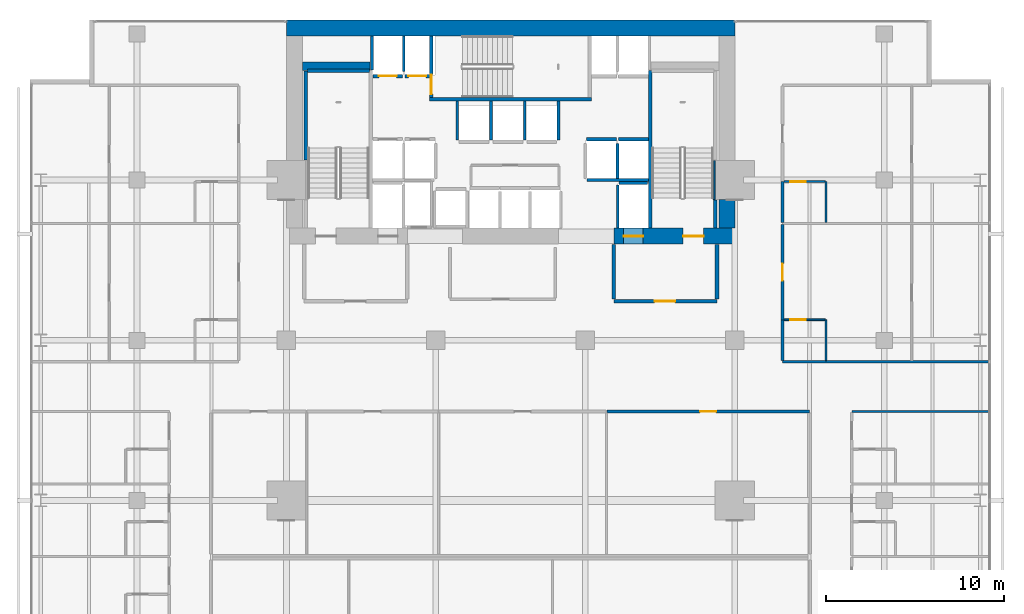
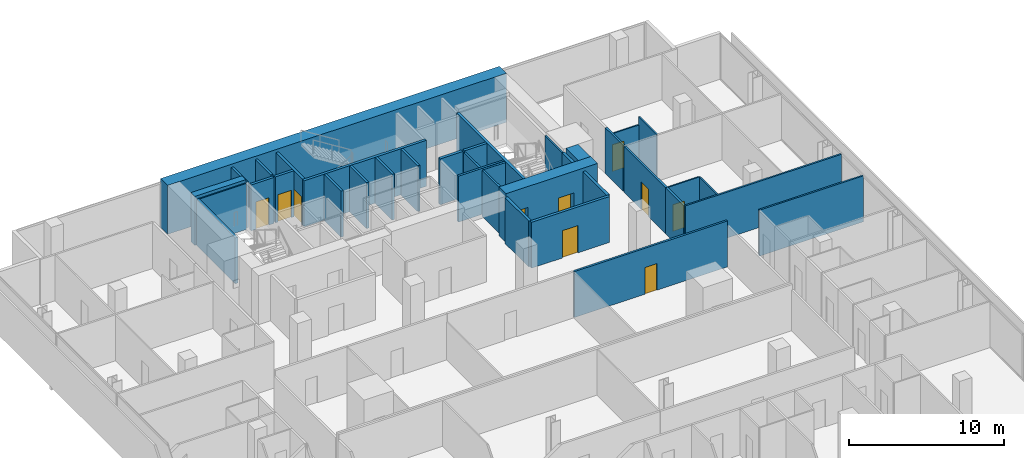
# One storey, part 37 of 40: 38 walls, 10 doors, 10 openings.
"""IFC4 building model written with IfcOpenShell, lengths in metres."""

from ifc_helpers import new_model, si_unit, direction, frame, frame_2d, origin, place, context, subcontext, project, spatial, rectangle, extrude, material, layer, layer_set, type_object, element, fill, save


model = new_model("IFC4")

# Units and contexts
model_context = context("Model", 3, precision=1e-05, world=origin(), true_north=direction((0.0, 1.0)))
body_context = subcontext(model_context, "Body", "Model", "MODEL_VIEW")
ifc_project = project(units=[si_unit("LENGTHUNIT", "METRE"), si_unit("AREAUNIT", "SQUARE_METRE"), si_unit("VOLUMEUNIT", "CUBIC_METRE"), si_unit("PLANEANGLEUNIT", "RADIAN"), si_unit("MASSUNIT", "GRAM", prefix="KILO")], contexts=[model_context])

# Site, building, storey
site_placement = place(None, origin())
site = spatial("IfcSite", under=ifc_project, at=site_placement, CompositionType="ELEMENT")
building_placement = place(site_placement, origin())
building = spatial("IfcBuilding", under=site, at=building_placement, Name="Maruvema Waterfront Hotel and Observation Tower", CompositionType="ELEMENT")
storey_placement = place(building_placement, frame((0.0, 0.0, 53.89990234375)))
storey = spatial("IfcBuildingStorey", under=building, at=storey_placement, Name="L12", CompositionType="ELEMENT", Elevation=53.89990234375)

# Wall, opening, door
ifc_material_1 = material(Name="Twin-stud acoustic gypsum drywall", Category="gypsum")
ifc_layer_1 = layer(ifc_material_1, 0.14990234375, Name="Acoustic Corridor and Suite Demising Wall 150 mm")
ifc_layer_set_1 = layer_set([ifc_layer_1], Name="Twin-stud acoustic gypsum drywall")
wall_type_1 = type_object("IfcWallType", Name="Acoustic Corridor and Suite Demising Wall 150 mm", PredefinedType="PARTITIONING", material=ifc_layer_set_1)
wall_1_placement = place(storey_placement, frame((43.221923828125, 32.0, 0.0), z_axis=(0.0, 0.0, 1.0), x_axis=(1.0, 0.0, 0.0)))
wall_1 = element("IfcWall", 1, at=wall_1_placement, inside=storey, type_object=wall_type_1, Name="L12 L12-INTN Front 4 025", PredefinedType="PARTITIONING", context=body_context, shape_type="SweptSolid", body=[
    extrude(rectangle(XDim=11.3681640625, YDim=0.14990234375, at=frame_2d((5.68408203125, 0.0))), origin(), (0.0, 0.0, 1.0), 3.610107421875),
])
opening_1_placement = place(wall_1_placement, frame((5.23388671875, 0.0, 0.0)))
opening_1 = element("IfcOpeningElement", 2, at=opening_1_placement, cuts=wall_1, Name="Opening DR-090", PredefinedType="OPENING", context=body_context, shape_type="SweptSolid", body=[
    extrude(rectangle(XDim=0.89990234375, YDim=2.10009765625, at=frame_2d((0.449951171875, 1.050048828125))), frame((0.0, 0.0849609375, 0.0), z_axis=(0.0, -1.0, 0.0), x_axis=(1.0, 0.0, 0.0)), (0.0, 0.0, 1.0), 0.169921875),
])
ifc_material_2 = material(Name="Solid-core lacquered timber leaf", Category="wood")
door_type_1 = type_object("IfcDoorType", Name="Accessible Toilet and Room Door 900x2100 mm", OperationType="NOTDEFINED", PredefinedType="DOOR", material=ifc_material_2)
door_1_placement = place(opening_1_placement, origin())
door_1 = element("IfcDoor", 3, at=door_1_placement, inside=storey, type_object=door_type_1, Name="L12 Tea Kitchenette Door", OperationType="SINGLE_SWING_LEFT", OverallHeight=2.10009765625, OverallWidth=0.89990234375, PredefinedType="DOOR", context=body_context, shape_type="SweptSolid", body=[
    extrude(rectangle(XDim=0.89990234375, YDim=2.10009765625, at=frame_2d((0.449951171875, 1.050048828125))), frame((0.0, 0.02490234375, 0.0), z_axis=(0.0, -1.0, 0.0), x_axis=(1.0, 0.0, 0.0)), (0.0, 0.0, 1.0), 0.050048828125),
])
fill(opening_1, door_1)

# Wall
wall_2_placement = place(storey_placement, frame((53.080078125, 34.860107421875, 0.0), z_axis=(0.0, 0.0, 1.0), x_axis=(0.0, 1.0, 0.0)))
element("IfcWall", 4, at=wall_2_placement, inside=storey, type_object=wall_type_1, Name="L12 Bath L12-NE1 Wall 127", PredefinedType="PARTITIONING", context=body_context, shape_type="SweptSolid", body=[
    extrude(rectangle(XDim=2.289794921875, YDim=0.14990234375, at=frame_2d((1.14501953125, 0.0))), origin(), (0.0, 0.0, 1.0), 3.610107421875),
])

# Wall, opening, door
wall_3_placement = place(storey_placement, frame((53.080078125, 37.14990234375, 0.0), z_axis=(0.0, 0.0, 1.0), x_axis=(0.0, 1.0, 0.0)))
wall_3 = element("IfcWall", 5, at=wall_3_placement, inside=storey, type_object=wall_type_1, Name="L12 Room L12-NE1 Corridor Wall 128", PredefinedType="PARTITIONING", context=body_context, shape_type="SweptSolid", body=[
    extrude(rectangle(XDim=5.35888671875, YDim=0.14990234375, at=frame_2d((2.679443359375, 0.0))), origin(), (0.0, 0.0, 1.0), 3.610107421875),
])
opening_2_placement = place(wall_3_placement, frame((2.204345703125, 0.0, 0.0)))
opening_2 = element("IfcOpeningElement", 6, at=opening_2_placement, cuts=wall_3, Name="Opening DR-095", PredefinedType="OPENING", context=body_context, shape_type="SweptSolid", body=[
    extrude(rectangle(XDim=0.949951171875, YDim=2.14990234375, at=frame_2d((0.47509765625, 1.074951171875))), frame((0.0, 0.0849609375, 0.0), z_axis=(0.0, -1.0, 0.0), x_axis=(1.0, 0.0, 0.0)), (0.0, 0.0, 1.0), 0.169921875),
])
ifc_material_3 = material(Name="Acoustic solid-core hardwood timber leaf", Category="wood")
door_type_2 = type_object("IfcDoorType", Name="Guestroom Entrance Fire Door 950x2150 mm", OperationType="NOTDEFINED", PredefinedType="DOOR", material=ifc_material_3)
door_2_placement = place(opening_2_placement, frame((0.949951171875, 0.0, 0.0), z_axis=(0.0, 0.0, 1.0), x_axis=(-1.0, 0.0, 0.0)))
door_2 = element("IfcDoor", 7, at=door_2_placement, inside=storey, type_object=door_type_2, Name="L12 Room L12-NE1 Entrance Door", OperationType="SINGLE_SWING_LEFT", OverallHeight=2.14990234375, OverallWidth=0.949951171875, PredefinedType="DOOR", context=body_context, shape_type="SweptSolid", body=[
    extrude(rectangle(XDim=0.949951171875, YDim=2.14990234375, at=frame_2d((0.47509765625, 1.074951171875))), frame((0.0, 0.02490234375, 0.0), z_axis=(0.0, -1.0, 0.0), x_axis=(1.0, 0.0, 0.0)), (0.0, 0.0, 1.0), 0.050048828125),
])
fill(opening_2, door_2)

# Walls
wall_4_placement = place(storey_placement, frame((53.080078125, 42.628662109375, 0.0), z_axis=(0.0, 0.0, 1.0), x_axis=(0.0, 1.0, 0.0)))
element("IfcWall", 8, at=wall_4_placement, inside=storey, type_object=wall_type_1, Name="L12 Bath L12-NE2 Wall 139", PredefinedType="PARTITIONING", context=body_context, shape_type="SweptSolid", body=[
    extrude(rectangle(XDim=2.2900390625, YDim=0.14990234375, at=frame_2d((1.14501953125, 0.0))), origin(), (0.0, 0.0, 1.0), 3.610107421875),
])
ifc_material_4 = material(Name="Precast concrete C45/55", Category="concrete")
ifc_layer_2 = layer(ifc_material_4, 0.199951171875, Name="Core Shaft and Stairwell Enclosure Wall 200 mm")
ifc_layer_set_2 = layer_set([ifc_layer_2], Name="Precast concrete C45/55")
wall_type_2 = type_object("IfcWallType", Name="Core Shaft and Stairwell Enclosure Wall 200 mm", PredefinedType="SOLIDWALL", material=ifc_layer_set_2)
wall_5_placement = place(storey_placement, frame((26.300048828125, 46.1201171875, 0.0), z_axis=(0.0, 0.0, 1.0), x_axis=(0.0, 1.0, 0.0)))
element("IfcWall", 9, at=wall_5_placement, inside=storey, type_object=wall_type_2, Name="L12 Stairwell ST-01 Shaft Lining Wall", PredefinedType="SOLIDWALL", context=body_context, shape_type="SweptSolid", body=[
    extrude(rectangle(XDim=5.0, YDim=0.199951171875, at=frame_2d((2.5, 0.0))), origin(), (0.0, 0.0, 1.0), 3.610107421875),
])
wall_6_placement = place(storey_placement, frame((26.3798828125, 51.14990234375, 0.0), z_axis=(0.0, 0.0, 1.0), x_axis=(1.0, 0.0, 0.0)))
element("IfcWall", 10, at=wall_6_placement, inside=storey, type_object=wall_type_2, Name="L12 Stairwell ST-01 Shaft Lining Wall", PredefinedType="SOLIDWALL", context=body_context, shape_type="SweptSolid", body=[
    extrude(rectangle(XDim=3.5, YDim=0.199951171875, at=frame_2d((1.75, 0.0))), origin(), (0.0, 0.0, 1.0), 3.610107421875),
])
wall_7_placement = place(storey_placement, frame((33.25, 49.550048828125, 0.0), z_axis=(0.0, 0.0, 1.0), x_axis=(1.0, 0.0, 0.0)))
element("IfcWall", 11, at=wall_7_placement, inside=storey, type_object=wall_type_2, Name="L12 Stairwell ST-02 Shaft Wall", PredefinedType="SOLIDWALL", context=body_context, shape_type="SweptSolid", body=[
    extrude(rectangle(XDim=9.10009765625, YDim=0.199951171875, at=frame_2d((4.550048828125, 0.0))), origin(), (0.0, 0.0, 1.0), 3.610107421875),
])

# Wall, opening, door
wall_8_placement = place(storey_placement, frame((33.35009765625, 49.64990234375, 0.0), z_axis=(0.0, 0.0, 1.0), x_axis=(0.0, 1.0, 0.0)))
wall_8 = element("IfcWall", 12, at=wall_8_placement, inside=storey, type_object=wall_type_2, Name="L12 Stairwell ST-02 Shaft Wall", PredefinedType="SOLIDWALL", context=body_context, shape_type="SweptSolid", body=[
    extrude(rectangle(XDim=3.4501953125, YDim=0.199951171875, at=frame_2d((1.72509765625, 0.0))), origin(), (0.0, 0.0, 1.0), 3.610107421875),
])
opening_3_placement = place(wall_8_placement, frame((0.179931640625, 0.0, 0.0)))
opening_3 = element("IfcOpeningElement", 13, at=opening_3_placement, cuts=wall_8, Name="Opening SD-02", PredefinedType="OPENING", context=body_context, shape_type="SweptSolid", body=[
    extrude(rectangle(XDim=1.10009765625, YDim=2.14990234375, at=frame_2d((0.550048828125, 1.074951171875))), frame((0.0, 0.10986328125, 0.0), z_axis=(0.0, -1.0, 0.0), x_axis=(1.0, 0.0, 0.0)), (0.0, 0.0, 1.0), 0.219970703125),
])
ifc_material_5 = material(Name="Fire-rated galvanised steel leaf", Category="steel")
door_type_3 = type_object("IfcDoorType", Name="Central Exit Stair Fire Door 1100x2150 mm", OperationType="NOTDEFINED", PredefinedType="DOOR", material=ifc_material_5)
door_3_placement = place(opening_3_placement, frame((1.10009765625, 0.0, 0.0), z_axis=(0.0, 0.0, 1.0), x_axis=(-1.0, 0.0, 0.0)))
door_3 = element("IfcDoor", 14, at=door_3_placement, inside=storey, type_object=door_type_3, Name="L12 Exit Stair ST-02 Fire Door", OperationType="SINGLE_SWING_LEFT", OverallHeight=2.14990234375, OverallWidth=1.10009765625, PredefinedType="DOOR", context=body_context, shape_type="SweptSolid", body=[
    extrude(rectangle(XDim=1.10009765625, YDim=2.14990234375, at=frame_2d((0.550048828125, 1.074951171875))), frame((0.0, 0.02490234375, 0.0), z_axis=(0.0, -1.0, 0.0), x_axis=(1.0, 0.0, 0.0)), (0.0, 0.0, 1.0), 0.050048828125),
])
fill(opening_3, door_3)

# Walls
wall_9_placement = place(storey_placement, frame((45.64990234375, 42.300048828125, 0.0), z_axis=(0.0, 0.0, 1.0), x_axis=(0.0, 1.0, 0.0)))
element("IfcWall", 15, at=wall_9_placement, inside=storey, type_object=wall_type_2, Name="L12 Stairwell ST-03 West Shaft Wall", PredefinedType="SOLIDWALL", context=body_context, shape_type="SweptSolid", body=[
    extrude(rectangle(XDim=8.849853515625, YDim=0.199951171875, at=frame_2d((4.4248046875, 0.0))), origin(), (0.0, 0.0, 1.0), 3.610107421875),
])
wall_10_placement = place(storey_placement, frame((49.300048828125, 42.300048828125, 0.0), z_axis=(0.0, 0.0, 1.0), x_axis=(0.0, 1.0, 0.0)))
element("IfcWall", 16, at=wall_10_placement, inside=storey, type_object=wall_type_2, Name="L12 Stairwell ST-03 Shaft Lining Wall", PredefinedType="SOLIDWALL", context=body_context, shape_type="SweptSolid", body=[
    extrude(rectangle(XDim=1.579833984375, YDim=0.199951171875, at=frame_2d((0.7900390625, 0.0))), origin(), (0.0, 0.0, 1.0), 3.610107421875),
])

# Wall, opening, door
wall_11_placement = place(storey_placement, frame((30.06005859375, 50.85009765625, 0.0), z_axis=(0.0, 0.0, 1.0), x_axis=(1.0, 0.0, 0.0)))
wall_11 = element("IfcWall", 17, at=wall_11_placement, inside=storey, type_object=wall_type_2, Name="L12 Lift LF-03 Hoistway Front Wall", PredefinedType="SOLIDWALL", context=body_context, shape_type="SweptSolid", body=[
    extrude(rectangle(XDim=1.679931640625, YDim=0.199951171875, at=frame_2d((0.83984375, 0.0))), origin(), (0.0, 0.0, 1.0), 3.610107421875),
])
opening_4_placement = place(wall_11_placement, frame((0.340087890625, 0.0, 0.0)))
opening_4 = element("IfcOpeningElement", 18, at=opening_4_placement, cuts=wall_11, Name="Opening LD-01", PredefinedType="OPENING", context=body_context, shape_type="SweptSolid", body=[
    extrude(rectangle(XDim=1.0, YDim=2.14990234375, at=frame_2d((0.5, 1.074951171875))), frame((0.0, 0.10986328125, 0.0), z_axis=(0.0, -1.0, 0.0), x_axis=(1.0, 0.0, 0.0)), (0.0, 0.0, 1.0), 0.219970703125),
])
ifc_material_6 = material(Name="Brushed stainless steel Grade 316", Category="steel")
door_type_4 = type_object("IfcDoorType", Name="Passenger Lift Sliding Landing Door 1000x2150 mm", OperationType="SLIDING_TO_LEFT", PredefinedType="DOOR", material=ifc_material_6)
door_4_placement = place(opening_4_placement, frame((1.0, 0.0, 0.0), z_axis=(0.0, 0.0, 1.0), x_axis=(-1.0, 0.0, 0.0)))
door_4 = element("IfcDoor", 19, at=door_4_placement, inside=storey, type_object=door_type_4, Name="L12 Lift LF-03 Sliding Landing Door", OperationType="SLIDING_TO_LEFT", OverallHeight=2.14990234375, OverallWidth=1.0, PredefinedType="DOOR", context=body_context, shape_type="SweptSolid", body=[
    extrude(rectangle(XDim=1.0, YDim=2.14990234375, at=frame_2d((0.5, 1.074951171875))), frame((0.0, 0.02490234375, 0.0), z_axis=(0.0, -1.0, 0.0), x_axis=(1.0, 0.0, 0.0)), (0.0, 0.0, 1.0), 0.050048828125),
])
fill(opening_4, door_4)

wall_12_placement = place(storey_placement, frame((31.860107421875, 50.85009765625, 0.0), z_axis=(0.0, 0.0, 1.0), x_axis=(1.0, 0.0, 0.0)))
wall_12 = element("IfcWall", 20, at=wall_12_placement, inside=storey, type_object=wall_type_2, Name="L12 Lift LF-04 Hoistway Front Wall", PredefinedType="SOLIDWALL", context=body_context, shape_type="SweptSolid", body=[
    extrude(rectangle(XDim=1.3798828125, YDim=0.199951171875, at=frame_2d((0.68994140625, 0.0))), origin(), (0.0, 0.0, 1.0), 3.610107421875),
])
opening_5_placement = place(wall_12_placement, frame((0.18994140625, 0.0, 0.0)))
opening_5 = element("IfcOpeningElement", 21, at=opening_5_placement, cuts=wall_12, Name="Opening LD-01", PredefinedType="OPENING", context=body_context, shape_type="SweptSolid", body=[
    extrude(rectangle(XDim=1.0, YDim=2.14990234375, at=frame_2d((0.5, 1.074951171875))), frame((0.0, 0.10986328125, 0.0), z_axis=(0.0, -1.0, 0.0), x_axis=(1.0, 0.0, 0.0)), (0.0, 0.0, 1.0), 0.219970703125),
])
door_5_placement = place(opening_5_placement, frame((1.0, 0.0, 0.0), z_axis=(0.0, 0.0, 1.0), x_axis=(-1.0, 0.0, 0.0)))
door_5 = element("IfcDoor", 22, at=door_5_placement, inside=storey, type_object=door_type_4, Name="L12 Lift LF-04 Sliding Landing Door", OperationType="SLIDING_TO_LEFT", OverallHeight=2.14990234375, OverallWidth=1.0, PredefinedType="DOOR", context=body_context, shape_type="SweptSolid", body=[
    extrude(rectangle(XDim=1.0, YDim=2.14990234375, at=frame_2d((0.5, 1.074951171875))), frame((0.0, 0.02490234375, 0.0), z_axis=(0.0, -1.0, 0.0), x_axis=(1.0, 0.0, 0.0)), (0.0, 0.0, 1.0), 0.050048828125),
])
fill(opening_5, door_5)

# Walls
for number, where, z_axis, x_axis, name in (
    (23, (42.06005859375, 47.300048828125, 0.0), (0.0, 0.0, 1.0), (1.0, 0.0, 0.0), "L12 Lift LF-05 Hoistway Front Wall"),
    (24, (43.860107421875, 47.300048828125, 0.0), (0.0, 0.0, 1.0), (1.0, 0.0, 0.0), "L12 Lift LF-06 Hoistway Front Wall"),
):
    element("IfcWall", number, at=place(storey_placement, frame(where, z_axis=z_axis, x_axis=x_axis)), inside=storey, type_object=wall_type_2, Name=name, PredefinedType="SOLIDWALL", context=body_context, shape_type="SweptSolid", body=[
        extrude(rectangle(XDim=1.679931640625, YDim=0.199951171875, at=frame_2d((0.83984375, 0.0))), origin(), (0.0, 0.0, 1.0), 3.610107421875),
    ])
ifc_material_7 = material(Name="Concrete C70/85", Category="concrete")
ifc_layer_3 = layer(ifc_material_7, 0.5, Name="Core Shear Wall 500 mm")
ifc_layer_set_3 = layer_set([ifc_layer_3], Name="Concrete C70/85")
wall_type_3 = type_object("IfcWallType", Name="Core Shear Wall 500 mm", PredefinedType="SHEAR", material=ifc_layer_set_3)
wall_13_placement = place(storey_placement, frame((26.10009765625, 51.39990234375, 0.0), z_axis=(0.0, 0.0, 1.0), x_axis=(1.0, 0.0, 0.0)))
element("IfcWall", 25, at=wall_13_placement, inside=storey, type_object=wall_type_3, Name="L12 Internal Core Shear Wall NW 500 mm", PredefinedType="SHEAR", context=body_context, shape_type="SweptSolid", body=[
    extrude(rectangle(XDim=3.7998046875, YDim=0.5, at=frame_2d((1.89990234375, 0.0))), origin(), (0.0, 0.0, 1.0), 3.85009765625),
])
ifc_material_8 = material(Name="Concrete C80/95", Category="concrete")
ifc_layer_4 = layer(ifc_material_8, 0.89990234375, Name="Core Shear Wall 900 mm")
ifc_layer_set_4 = layer_set([ifc_layer_4], Name="Concrete C80/95")
wall_type_4 = type_object("IfcWallType", Name="Core Shear Wall 900 mm", PredefinedType="SHEAR", material=ifc_layer_set_4)
wall_14_placement = place(storey_placement, frame((25.199951171875, 53.550048828125, 0.0), z_axis=(0.0, 0.0, 1.0), x_axis=(1.0, 0.0, 0.0)))
element("IfcWall", 26, at=wall_14_placement, inside=storey, type_object=wall_type_4, Name="L12 North Core Shear Wall", PredefinedType="SHEAR", context=body_context, shape_type="SweptSolid", body=[
    extrude(rectangle(XDim=25.199951171875, YDim=0.89990234375, at=frame_2d((12.60009765625, 0.0))), origin(), (0.0, 0.0, 1.0), 3.85009765625),
])

# Wall, openings, doors
wall_15_placement = place(storey_placement, frame((43.60009765625, 41.85009765625, 0.0), z_axis=(0.0, 0.0, 1.0), x_axis=(1.0, 0.0, 0.0)))
wall_15 = element("IfcWall", 27, at=wall_15_placement, inside=storey, type_object=wall_type_4, Name="L12 South-East Core Shear Wall", PredefinedType="SHEAR", context=body_context, shape_type="SweptSolid", body=[
    extrude(rectangle(XDim=6.7998046875, YDim=0.89990234375, at=frame_2d((3.39990234375, 0.0))), origin(), (0.0, 0.0, 1.0), 3.85009765625),
])
opening_6_placement = place(wall_15_placement, frame((3.89990234375, 0.0, 0.0)))
opening_6 = element("IfcOpeningElement", 28, at=opening_6_placement, cuts=wall_15, Name="Opening SD-01", PredefinedType="OPENING", context=body_context, shape_type="SweptSolid", body=[
    extrude(rectangle(XDim=1.14990234375, YDim=2.14990234375, at=frame_2d((0.574951171875, 1.074951171875))), frame((0.0, 0.4599609375, 0.0), z_axis=(0.0, -1.0, 0.0), x_axis=(1.0, 0.0, 0.0)), (0.0, 0.0, 1.0), 0.919921875),
])
opening_7_placement = place(wall_15_placement, frame((0.550048828125, 0.0, 0.0)))
opening_7 = element("IfcOpeningElement", 29, at=opening_7_placement, cuts=wall_15, Name="Opening LD-03", PredefinedType="OPENING", context=body_context, shape_type="SweptSolid", body=[
    extrude(rectangle(XDim=1.10009765625, YDim=2.199951171875, at=frame_2d((0.550048828125, 1.10009765625))), frame((0.0, 0.4599609375, 0.0), z_axis=(0.0, -1.0, 0.0), x_axis=(1.0, 0.0, 0.0)), (0.0, 0.0, 1.0), 0.919921875),
])
ifc_material_9 = material(Name="Fire-rated galvanised steel leaf", Category="steel")
door_type_5 = type_object("IfcDoorType", Name="Exit Stair Fire Door 1150x2150 mm", OperationType="NOTDEFINED", PredefinedType="DOOR", material=ifc_material_9)
door_6_placement = place(opening_6_placement, origin())
door_6 = element("IfcDoor", 30, at=door_6_placement, inside=storey, type_object=door_type_5, Name="L12 Exit Stair ST-03 Fire Door", OperationType="SINGLE_SWING_RIGHT", OverallHeight=2.14990234375, OverallWidth=1.14990234375, PredefinedType="DOOR", context=body_context, shape_type="SweptSolid", body=[
    extrude(rectangle(XDim=1.14990234375, YDim=2.14990234375, at=frame_2d((0.574951171875, 1.074951171875))), frame((0.0, 0.02490234375, 0.0), z_axis=(0.0, -1.0, 0.0), x_axis=(1.0, 0.0, 0.0)), (0.0, 0.0, 1.0), 0.050048828125),
])
fill(opening_6, door_6)
ifc_material_10 = material(Name="Brushed stainless steel Grade 316", Category="steel")
door_type_6 = type_object("IfcDoorType", Name="Firefighting Lift Sliding Landing Door 1100x2200 mm", OperationType="SLIDING_TO_LEFT", PredefinedType="DOOR", material=ifc_material_10)
door_7_placement = place(opening_7_placement, frame((1.10009765625, 0.0, 0.0), z_axis=(0.0, 0.0, 1.0), x_axis=(-1.0, 0.0, 0.0)))
door_7 = element("IfcDoor", 31, at=door_7_placement, inside=storey, type_object=door_type_6, Name="L12 Firefighting Lift FL-02 Landing Door", OperationType="SLIDING_TO_LEFT", OverallHeight=2.199951171875, OverallWidth=1.10009765625, PredefinedType="DOOR", context=body_context, shape_type="SweptSolid", body=[
    extrude(rectangle(XDim=1.10009765625, YDim=2.199951171875, at=frame_2d((0.550048828125, 1.10009765625))), frame((0.0, 0.02490234375, 0.0), z_axis=(0.0, -1.0, 0.0), x_axis=(1.0, 0.0, 0.0)), (0.0, 0.0, 1.0), 0.050048828125),
])
fill(opening_7, door_7)

# Walls
wall_16_placement = place(storey_placement, frame((49.949951171875, 42.300048828125, 0.0), z_axis=(0.0, 0.0, 1.0), x_axis=(0.0, 1.0, 0.0)))
element("IfcWall", 32, at=wall_16_placement, inside=storey, type_object=wall_type_4, Name="L12 East-South Core Shear Wall", PredefinedType="SHEAR", context=body_context, shape_type="SweptSolid", body=[
    extrude(rectangle(XDim=1.599853515625, YDim=0.89990234375, at=frame_2d((0.7998046875, 0.0))), origin(), (0.0, 0.0, 1.0), 3.85009765625),
])
ifc_material_11 = material(Name="Moisture-resistant cement-board drywall", Category="gypsum")
ifc_layer_5 = layer(ifc_material_11, 0.10009765625, Name="En-Suite Moisture-Resistant Partition 100 mm")
ifc_layer_set_5 = layer_set([ifc_layer_5], Name="Moisture-resistant cement-board drywall")
wall_type_5 = type_object("IfcWallType", Name="En-Suite Moisture-Resistant Partition 100 mm", PredefinedType="PARTITIONING", material=ifc_layer_set_5)
wall_17_placement = place(storey_placement, frame((55.530029296875, 34.860107421875, 0.0), z_axis=(0.0, 0.0, 1.0), x_axis=(0.0, 1.0, 0.0)))
element("IfcWall", 33, at=wall_17_placement, inside=storey, type_object=wall_type_5, Name="L12 En-Suite L12-NE1 E 129", PredefinedType="PARTITIONING", context=body_context, shape_type="SweptSolid", body=[
    extrude(rectangle(XDim=2.289794921875, YDim=0.10009765625, at=frame_2d((1.14501953125, 0.0))), origin(), (0.0, 0.0, 1.0), 3.610107421875),
])

# Wall, opening, door
wall_18_placement = place(storey_placement, frame((53.179931640625, 37.14990234375, 0.0), z_axis=(0.0, 0.0, 1.0), x_axis=(1.0, 0.0, 0.0)))
wall_18 = element("IfcWall", 34, at=wall_18_placement, inside=storey, type_object=wall_type_5, Name="L12 En-Suite L12-NE1 N 130", PredefinedType="PARTITIONING", context=body_context, shape_type="SweptSolid", body=[
    extrude(rectangle(XDim=2.300048828125, YDim=0.10009765625, at=frame_2d((1.14990234375, 0.0))), origin(), (0.0, 0.0, 1.0), 3.610107421875),
])
opening_8_placement = place(wall_18_placement, frame((0.35009765625, 0.0, 0.0)))
opening_8 = element("IfcOpeningElement", 35, at=opening_8_placement, cuts=wall_18, Name="Opening DR-085", PredefinedType="OPENING", context=body_context, shape_type="SweptSolid", body=[
    extrude(rectangle(XDim=0.85009765625, YDim=2.10009765625, at=frame_2d((0.425048828125, 1.050048828125))), frame((0.0, 0.06005859375, 0.0), z_axis=(0.0, -1.0, 0.0), x_axis=(1.0, 0.0, 0.0)), (0.0, 0.0, 1.0), 0.1201171875),
])
ifc_material_12 = material(Name="Moisture-resistant solid timber leaf", Category="wood")
door_type_7 = type_object("IfcDoorType", Name="En-Suite Bathroom Door 850x2100 mm", OperationType="NOTDEFINED", PredefinedType="DOOR", material=ifc_material_12)
door_8_placement = place(opening_8_placement, origin())
door_8 = element("IfcDoor", 36, at=door_8_placement, inside=storey, type_object=door_type_7, Name="L12 En-Suite L12-NE1 Door", OperationType="SINGLE_SWING_RIGHT", OverallHeight=2.10009765625, OverallWidth=0.85009765625, PredefinedType="DOOR", context=body_context, shape_type="SweptSolid", body=[
    extrude(rectangle(XDim=0.85009765625, YDim=2.10009765625, at=frame_2d((0.425048828125, 1.050048828125))), frame((0.0, 0.02490234375, 0.0), z_axis=(0.0, -1.0, 0.0), x_axis=(1.0, 0.0, 0.0)), (0.0, 0.0, 1.0), 0.050048828125),
])
fill(opening_8, door_8)

# Wall
wall_19_placement = place(storey_placement, frame((55.530029296875, 42.628662109375, 0.0), z_axis=(0.0, 0.0, 1.0), x_axis=(0.0, 1.0, 0.0)))
element("IfcWall", 37, at=wall_19_placement, inside=storey, type_object=wall_type_5, Name="L12 En-Suite L12-NE2 E 141", PredefinedType="PARTITIONING", context=body_context, shape_type="SweptSolid", body=[
    extrude(rectangle(XDim=2.2900390625, YDim=0.10009765625, at=frame_2d((1.14501953125, 0.0))), origin(), (0.0, 0.0, 1.0), 3.610107421875),
])

# Wall, opening, door
wall_20_placement = place(storey_placement, frame((53.179931640625, 44.918701171875, 0.0), z_axis=(0.0, 0.0, 1.0), x_axis=(1.0, 0.0, 0.0)))
wall_20 = element("IfcWall", 38, at=wall_20_placement, inside=storey, type_object=wall_type_5, Name="L12 En-Suite L12-NE2 N 142", PredefinedType="PARTITIONING", context=body_context, shape_type="SweptSolid", body=[
    extrude(rectangle(XDim=2.300048828125, YDim=0.10009765625, at=frame_2d((1.14990234375, 0.0))), origin(), (0.0, 0.0, 1.0), 2.988037109375),
])
opening_9_placement = place(wall_20_placement, frame((0.35009765625, 0.0, 0.0)))
opening_9 = element("IfcOpeningElement", 39, at=opening_9_placement, cuts=wall_20, Name="Opening DR-085", PredefinedType="OPENING", context=body_context, shape_type="SweptSolid", body=[
    extrude(rectangle(XDim=0.85009765625, YDim=2.10009765625, at=frame_2d((0.425048828125, 1.050048828125))), frame((0.0, 0.06005859375, 0.0), z_axis=(0.0, -1.0, 0.0), x_axis=(1.0, 0.0, 0.0)), (0.0, 0.0, 1.0), 0.1201171875),
])
door_9_placement = place(opening_9_placement, origin())
door_9 = element("IfcDoor", 40, at=door_9_placement, inside=storey, type_object=door_type_7, Name="L12 En-Suite L12-NE2 Door", OperationType="SINGLE_SWING_RIGHT", OverallHeight=2.10009765625, OverallWidth=0.85009765625, PredefinedType="DOOR", context=body_context, shape_type="SweptSolid", body=[
    extrude(rectangle(XDim=0.85009765625, YDim=2.10009765625, at=frame_2d((0.425048828125, 1.050048828125))), frame((0.0, 0.02490234375, 0.0), z_axis=(0.0, -1.0, 0.0), x_axis=(1.0, 0.0, 0.0)), (0.0, 0.0, 1.0), 0.050048828125),
])
fill(opening_9, door_9)

ifc_material_13 = material(Name="Autoclaved cellular concrete blockwork", Category="masonry")
ifc_layer_6 = layer(ifc_material_13, 0.199951171875, Name="Fire Compartment Masonry Wall 200 mm")
ifc_layer_set_6 = layer_set([ifc_layer_6], Name="Autoclaved cellular concrete blockwork")
wall_type_6 = type_object("IfcWallType", Name="Fire Compartment Masonry Wall 200 mm", PredefinedType="PARTITIONING", material=ifc_layer_set_6)
wall_21_placement = place(storey_placement, frame((43.60009765625, 38.199951171875, 0.0), z_axis=(0.0, 0.0, 1.0), x_axis=(1.0, 0.0, 0.0)))
wall_21 = element("IfcWall", 41, at=wall_21_placement, inside=storey, type_object=wall_type_6, Name="L12 FFL East South Wall 004", PredefinedType="PARTITIONING", context=body_context, shape_type="SweptSolid", body=[
    extrude(rectangle(XDim=5.7998046875, YDim=0.199951171875, at=frame_2d((2.89990234375, 0.0))), origin(), (0.0, 0.0, 1.0), 3.610107421875),
])
opening_10_placement = place(wall_21_placement, frame((2.300048828125, 0.0, 0.0)))
opening_10 = element("IfcOpeningElement", 42, at=opening_10_placement, cuts=wall_21, Name="Opening FD-115", PredefinedType="OPENING", context=body_context, shape_type="SweptSolid", body=[
    extrude(rectangle(XDim=1.14990234375, YDim=2.14990234375, at=frame_2d((0.574951171875, 1.074951171875))), frame((0.0, 0.10986328125, 0.0), z_axis=(0.0, -1.0, 0.0), x_axis=(1.0, 0.0, 0.0)), (0.0, 0.0, 1.0), 0.219970703125),
])
ifc_material_14 = material(Name="Fire-rated galvanised steel and vision glass", Category="steel")
door_type_8 = type_object("IfcDoorType", Name="Firefighting Lobby Fire Door 1150x2150 mm", OperationType="NOTDEFINED", PredefinedType="DOOR", material=ifc_material_14)
door_10_placement = place(opening_10_placement, frame((1.14990234375, 0.0, 0.0), z_axis=(0.0, 0.0, 1.0), x_axis=(-1.0, 0.0, 0.0)))
door_10 = element("IfcDoor", 43, at=door_10_placement, inside=storey, type_object=door_type_8, Name="L12 Firefighting Lobby East Door", OperationType="SINGLE_SWING_RIGHT", OverallHeight=2.14990234375, OverallWidth=1.14990234375, PredefinedType="DOOR", context=body_context, shape_type="SweptSolid", body=[
    extrude(rectangle(XDim=1.14990234375, YDim=2.14990234375, at=frame_2d((0.574951171875, 1.074951171875))), frame((0.0, 0.02490234375, 0.0), z_axis=(0.0, -1.0, 0.0), x_axis=(1.0, 0.0, 0.0)), (0.0, 0.0, 1.0), 0.050048828125),
])
fill(opening_10, door_10)

# Walls
for number, where, z_axis, x_axis, name in (
    (44, (43.60009765625, 38.31005859375, 0.0), (0.0, 0.0, 1.0), (0.0, 1.0, 0.0), "L12 FFL East West Wall 005"),
    (45, (49.39990234375, 38.31005859375, 0.0), (0.0, 0.0, 1.0), (0.0, 1.0, 0.0), "L12 FFL East East Wall 006"),
):
    element("IfcWall", number, at=place(storey_placement, frame(where, z_axis=z_axis, x_axis=x_axis)), inside=storey, type_object=wall_type_6, Name=name, PredefinedType="PARTITIONING", context=body_context, shape_type="SweptSolid", body=[
        extrude(rectangle(XDim=3.06982421875, YDim=0.199951171875, at=frame_2d((1.534912109375, 0.0))), origin(), (0.0, 0.0, 1.0), 3.610107421875),
    ])
ifc_material_15 = material(Name="Acoustic gypsum plasterboard drywall", Category="gypsum")
ifc_layer_7 = layer(ifc_material_15, 0.125, Name="Guestroom Acoustic Demising Wall 125 mm")
ifc_layer_set_7 = layer_set([ifc_layer_7], Name="Acoustic gypsum plasterboard drywall")
wall_type_7 = type_object("IfcWallType", Name="Guestroom Acoustic Demising Wall 125 mm", PredefinedType="PARTITIONING", material=ifc_layer_set_7)
wall_22_placement = place(storey_placement, frame((56.97998046875, 32.0, 0.0), z_axis=(0.0, 0.0, 1.0), x_axis=(1.0, 0.0, 0.0)))
element("IfcWall", 46, at=wall_22_placement, inside=storey, type_object=wall_type_7, Name="L12 E Top End 079", PredefinedType="PARTITIONING", context=body_context, shape_type="SweptSolid", body=[
    extrude(rectangle(XDim=7.719970703125, YDim=0.125, at=frame_2d((3.85986328125, 0.0))), origin(), (0.0, 0.0, 1.0), 3.610107421875),
])
wall_23_placement = place(storey_placement, frame((53.080078125, 34.800048828125, 0.0), z_axis=(0.0, 0.0, 1.0), x_axis=(1.0, 0.0, 0.0)))
element("IfcWall", 47, at=wall_23_placement, inside=storey, type_object=wall_type_7, Name="L12 NE Bot End 119", PredefinedType="PARTITIONING", context=body_context, shape_type="SweptSolid", body=[
    extrude(rectangle(XDim=11.619873046875, YDim=0.125, at=frame_2d((5.81005859375, 0.0))), origin(), (0.0, 0.0, 1.0), 3.610107421875),
])
ifc_material_16 = material(Name="Precast concrete C45/55", Category="concrete")
ifc_layer_8 = layer(ifc_material_16, 0.159912109375, Name="Lift Hoistway Divider Wall 160 mm")
ifc_layer_set_8 = layer_set([ifc_layer_8], Name="Precast concrete C45/55")
wall_type_8 = type_object("IfcWallType", Name="Lift Hoistway Divider Wall 160 mm", PredefinedType="SOLIDWALL", material=ifc_layer_set_8)
wall_24_placement = place(storey_placement, frame((43.89990234375, 44.830078125, 0.0), z_axis=(0.0, 0.0, 1.0), x_axis=(1.0, 0.0, 0.0)))
element("IfcWall", 48, at=wall_24_placement, inside=storey, type_object=wall_type_8, Name="L12 Lift FL-02 Rear Hoistway Wall", PredefinedType="SOLIDWALL", context=body_context, shape_type="SweptSolid", body=[
    extrude(rectangle(XDim=1.60009765625, YDim=0.159912109375, at=frame_2d((0.800048828125, 0.0))), origin(), (0.0, 0.0, 1.0), 3.610107421875),
])
wall_25_placement = place(storey_placement, frame((43.820068359375, 42.300048828125, 0.0), z_axis=(0.0, 0.0, 1.0), x_axis=(0.0, 1.0, 0.0)))
element("IfcWall", 49, at=wall_25_placement, inside=storey, type_object=wall_type_8, Name="L12 Lift FL-02 Inner Hoistway Wall", PredefinedType="SOLIDWALL", context=body_context, shape_type="SweptSolid", body=[
    extrude(rectangle(XDim=2.43994140625, YDim=0.159912109375, at=frame_2d((1.219970703125, 0.0))), origin(), (0.0, 0.0, 1.0), 3.610107421875),
])
wall_26_placement = place(storey_placement, frame((30.010009765625, 51.179931640625, 0.0), z_axis=(0.0, 0.0, 1.0), x_axis=(0.0, 1.0, 0.0)))
element("IfcWall", 50, at=wall_26_placement, inside=storey, type_object=wall_type_8, Name="L12 Hoistway Divider Wall", PredefinedType="SOLIDWALL", context=body_context, shape_type="SweptSolid", body=[
    extrude(rectangle(XDim=1.920166015625, YDim=0.159912109375, at=frame_2d((0.9599609375, 0.0))), origin(), (0.0, 0.0, 1.0), 3.610107421875),
])
wall_27_placement = place(storey_placement, frame((31.800048828125, 51.10009765625, 0.0), z_axis=(0.0, 0.0, 1.0), x_axis=(0.0, 1.0, 0.0)))
element("IfcWall", 51, at=wall_27_placement, inside=storey, type_object=wall_type_8, Name="L12 Hoistway Divider Wall", PredefinedType="SOLIDWALL", context=body_context, shape_type="SweptSolid", body=[
    extrude(rectangle(XDim=2.0, YDim=0.159912109375, at=frame_2d((1.0, 0.0))), origin(), (0.0, 0.0, 1.0), 3.610107421875),
])
wall_28_placement = place(storey_placement, frame((43.800048828125, 45.10009765625, 0.0), z_axis=(0.0, 0.0, 1.0), x_axis=(0.0, 1.0, 0.0)))
element("IfcWall", 52, at=wall_28_placement, inside=storey, type_object=wall_type_8, Name="L12 Hoistway Divider Wall", PredefinedType="SOLIDWALL", context=body_context, shape_type="SweptSolid", body=[
    extrude(rectangle(XDim=1.949951171875, YDim=0.159912109375, at=frame_2d((0.97509765625, 0.0))), origin(), (0.0, 0.0, 1.0), 3.610107421875),
])
wall_29_placement = place(storey_placement, frame((42.10009765625, 45.010009765625, 0.0), z_axis=(0.0, 0.0, 1.0), x_axis=(1.0, 0.0, 0.0)))
element("IfcWall", 53, at=wall_29_placement, inside=storey, type_object=wall_type_8, Name="L12 Hoistway Divider Wall", PredefinedType="SOLIDWALL", context=body_context, shape_type="SweptSolid", body=[
    extrude(rectangle(XDim=3.449951171875, YDim=0.159912109375, at=frame_2d((1.72509765625, 0.0))), origin(), (0.0, 0.0, 1.0), 3.610107421875),
])
for number, where, z_axis, x_axis, name in (
    (54, (34.800048828125, 47.25, 0.0), (0.0, 0.0, 1.0), (0.0, 1.0, 0.0), "L12 Hoistway Divider Wall"),
    (55, (36.699951171875, 47.25, 0.0), (0.0, 0.0, 1.0), (0.0, 1.0, 0.0), "L12 Hoistway Divider Wall"),
    (56, (38.60009765625, 47.25, 0.0), (0.0, 0.0, 1.0), (0.0, 1.0, 0.0), "L12 Hoistway Divider Wall"),
    (57, (40.5, 47.25, 0.0), (0.0, 0.0, 1.0), (0.0, 1.0, 0.0), "L12 Hoistway Divider Wall"),
):
    element("IfcWall", number, at=place(storey_placement, frame(where, z_axis=z_axis, x_axis=x_axis)), inside=storey, type_object=wall_type_8, Name=name, PredefinedType="SOLIDWALL", context=body_context, shape_type="SweptSolid", body=[
        extrude(rectangle(XDim=2.18994140625, YDim=0.159912109375, at=frame_2d((1.094970703125, 0.0))), origin(), (0.0, 0.0, 1.0), 3.610107421875),
    ])
ifc_material_17 = material(Name="Precast concrete C45/55", Category="concrete")
ifc_layer_9 = layer(ifc_material_17, 0.10009765625, Name="Stairwell Stringer Cheek Wall 100 mm")
ifc_layer_set_9 = layer_set([ifc_layer_9], Name="Precast concrete C45/55")
wall_type_9 = type_object("IfcWallType", Name="Stairwell Stringer Cheek Wall 100 mm", PredefinedType="SOLIDWALL", material=ifc_layer_set_9)
wall_30_placement = place(storey_placement, frame((49.248046875, 43.89990234375, 0.0), z_axis=(0.0, 0.0, 1.0), x_axis=(0.0, 1.0, 0.0)))
element("IfcWall", 58, at=wall_30_placement, inside=storey, type_object=wall_type_9, Name="L12 Stairwell ST-03 Mega-Column Cheek Wall", PredefinedType="SOLIDWALL", context=body_context, shape_type="SweptSolid", body=[
    extrude(rectangle(XDim=2.2001953125, YDim=0.10009765625, at=frame_2d((1.10009765625, 0.0))), origin(), (0.0, 0.0, 1.0), 3.610107421875),
])

save(model, "model.ifc")
